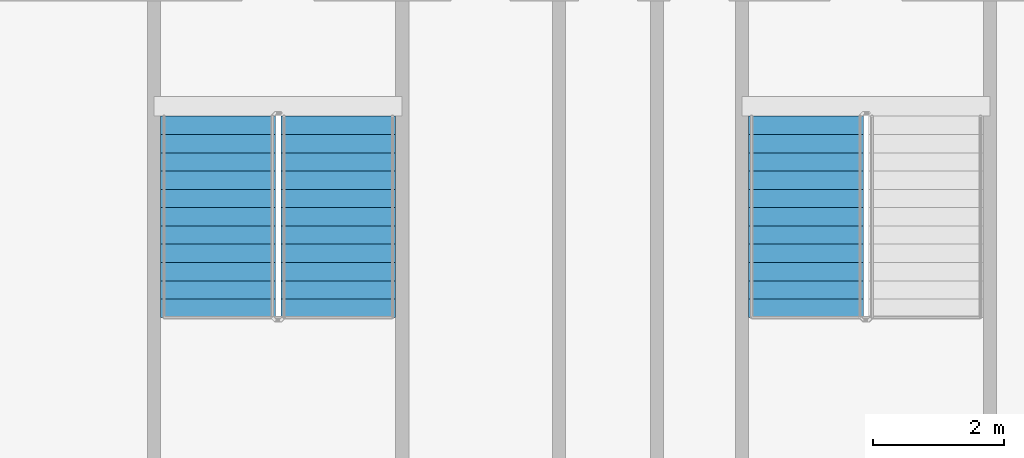
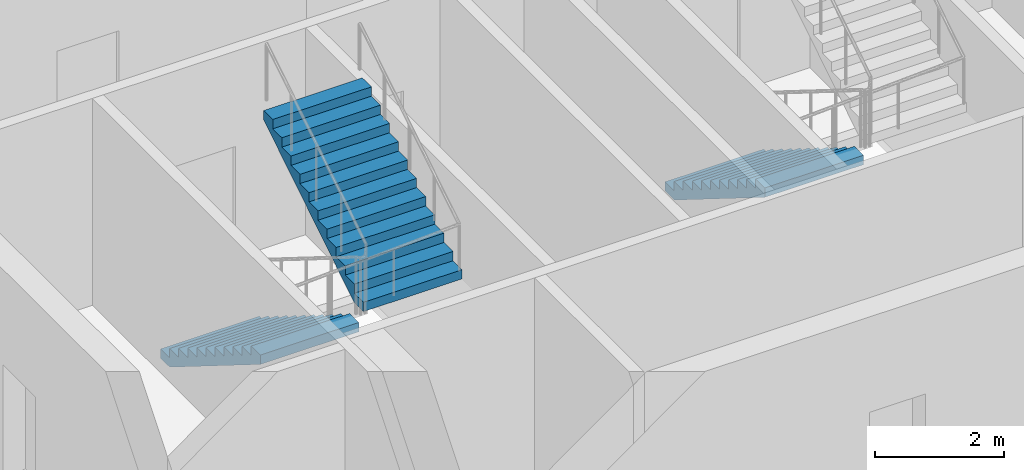
# One storey, part 22 of 28: 3 stair flights, 2 elements without a shape of their own.
"""IFC4 building model written with IfcOpenShell, lengths in metres."""

import ifcopenshell
import ifcopenshell.guid

model = None  # the IFC model being written
_history = None  # IfcOwnerHistory: only IFC2X3 demands one
_inside = {}  # id of a spatial element -> (the spatial element, [elements in it])
_under = {}  # id of a project, library or spatial element -> (it, [spatial elements below it])
_declared = {}  # id of a project -> (the project, [libraries it declares])
_typed = {}  # id of a type object -> (the type object, [elements of that type])
_made_of = {}  # id of a material, layer set ... -> (it, [elements and type objects made of it])


def new_model(schema):
    """Start an empty IFC model of exactly this schema.

    Asked for "IFC4X3", IfcOpenShell would pick the latest addendum, in which some entities
    have other attributes; the version numbers below select the first issue.
    IFC2X3 requires an IfcOwnerHistory on every rooted entity: one is made here for all.
    """
    global model, _history
    if schema == "IFC4X3":
        model = ifcopenshell.file(schema_version=(4, 3, 0, 0))
    else:
        model = ifcopenshell.file(schema=schema)
    _inside.clear()
    _under.clear()
    _declared.clear()
    _typed.clear()
    _made_of.clear()
    _history = None
    if model.schema == "IFC2X3":
        org = make("IfcOrganization", Name="unknown")
        user = make(
            "IfcPersonAndOrganization",
            ThePerson=make("IfcPerson", FamilyName="unknown"),
            TheOrganization=org,
        )
        app = make(
            "IfcApplication",
            ApplicationDeveloper=org,
            Version="unknown",
            ApplicationFullName="unknown",
            ApplicationIdentifier="unknown",
        )
        _history = make(
            "IfcOwnerHistory",
            OwningUser=user,
            OwningApplication=app,
            ChangeAction="ADDED",
            CreationDate=0,
        )
    return model


def make(cls, **values):
    """One entity of the class cls with the attributes given. An attribute that is None is left unset."""
    return model.create_entity(
        cls, **{name: value for name, value in values.items() if value is not None}
    )


def rooted(cls, **values):
    """An entity with a GlobalId (a new one), such as an element, a storey or a relation."""
    return make(cls, GlobalId=ifcopenshell.guid.new(), OwnerHistory=_history, **values)


def si_unit(unit_type, name, prefix=None):
    """IfcSIUnit, for example si_unit("LENGTHUNIT", "METRE", prefix="MILLI")."""
    return make("IfcSIUnit", UnitType=unit_type, Prefix=prefix, Name=name)


def assignment(units):
    """IfcUnitAssignment: the units of a project."""
    return None if units is None else make("IfcUnitAssignment", Units=units)


def point(xyz):
    """IfcCartesianPoint."""
    return None if xyz is None else make("IfcCartesianPoint", Coordinates=xyz)


def direction(xyz):
    """IfcDirection."""
    return None if xyz is None else make("IfcDirection", DirectionRatios=xyz)


def frame(location, z_axis=None, x_axis=None):
    """IfcAxis2Placement3D, a coordinate frame: its origin and axes. An axis left out is left unset."""
    return make(
        "IfcAxis2Placement3D",
        Location=point(location),
        Axis=direction(z_axis),
        RefDirection=direction(x_axis),
    )


def origin():
    """The frame at (0, 0, 0) with its axes left unset."""
    return frame((0.0, 0.0, 0.0))


def place(relative_to, where):
    """IfcLocalPlacement: puts the frame where relative to a parent placement (None: the world)."""
    return make(
        "IfcLocalPlacement", PlacementRelTo=relative_to, RelativePlacement=where
    )


def context(
    kind, dimensions, precision=None, world=None, true_north=None, identifier=None
):
    """IfcGeometricRepresentationContext, for example the 3D "Model" context."""
    return make(
        "IfcGeometricRepresentationContext",
        ContextIdentifier=identifier,
        ContextType=kind,
        CoordinateSpaceDimension=dimensions,
        Precision=precision,
        WorldCoordinateSystem=world,
        TrueNorth=true_north,
    )


def subcontext(parent, identifier, kind, view, scale=None):
    """IfcGeometricRepresentationSubContext, for example "Body" below "Model"."""
    return make(
        "IfcGeometricRepresentationSubContext",
        ContextIdentifier=identifier,
        ContextType=kind,
        ParentContext=parent,
        TargetScale=scale,
        TargetView=view,
    )


def project(units=None, contexts=None):
    """IfcProject with its units and contexts."""
    return rooted(
        "IfcProject",
        Name="project",
        RepresentationContexts=contexts,
        UnitsInContext=assignment(units),
    )


def spatial(cls, under=None, at=None, **own):
    """A site, building, storey or space (cls), placed at a placement, below another one or the project."""
    s = rooted(cls, ObjectPlacement=at, **own)
    if under is not None:
        _under.setdefault(under.id(), (under, []))[1].append(s)
    return s


def faces_of(points, faces, orient=None, outer=None):
    """IfcFace entities. A face is a list of loops; a loop is a list of indices into points, from 0.

    orient and outer hold one flag for each loop. By default every Orientation is true, the
    first loop of a face is its IfcFaceOuterBound and the others are IfcFaceBound.
    """
    made = []
    for i, loops in enumerate(faces):
        bounds = []
        for j, loop in enumerate(loops):
            is_outer = j == 0 if outer is None else outer[i][j]
            bounds.append(
                make(
                    "IfcFaceOuterBound" if is_outer else "IfcFaceBound",
                    Bound=make("IfcPolyLoop", Polygon=[points[k] for k in loop]),
                    Orientation=True if orient is None else orient[i][j],
                )
            )
        made.append(make("IfcFace", Bounds=bounds))
    return made


def faceted_brep(points, faces, orient=None, outer=None, voids=None):
    """IfcFacetedBrep: a solid bounded by flat faces; with voids (closed shells), ...WithVoids."""
    shared = [point(p) for p in points]
    hull = make("IfcClosedShell", CfsFaces=faces_of(shared, faces, orient, outer))
    if voids is None:
        return make("IfcFacetedBrep", Outer=hull)
    return make(
        "IfcFacetedBrepWithVoids",
        Outer=hull,
        Voids=[
            make(cls, CfsFaces=faces_of(shared, fs, o, b)) for cls, fs, o, b in voids
        ],
    )


def shape(context_of_items, identifier, shape_type, items):
    """IfcShapeRepresentation: the items that make up one representation, for example the "Body"."""
    return make(
        "IfcShapeRepresentation",
        ContextOfItems=context_of_items,
        RepresentationIdentifier=identifier,
        RepresentationType=shape_type,
        Items=items,
    )


def material(Name=None, Category=None):
    """IfcMaterial."""
    return make("IfcMaterial", Name=Name, Category=Category)


def made_of(thing, what):
    """Note that an element or type object is made of a material, layer set ...; save() writes the relation."""
    if what is not None:
        _made_of.setdefault(what.id(), (what, []))[1].append(thing)
    return thing


def type_object(cls, material=None, **own):
    """A type object (cls), such as IfcWallType, which elements share."""
    return made_of(rooted(cls, **own), material)


def element(
    cls,
    number,
    at=None,
    inside=None,
    cuts=None,
    type_object=None,
    material=None,
    context=None,
    identifier="Body",
    shape_type=None,
    held_by="IfcProductDefinitionShape",
    body=None,
    shapes=None,
    **own,
):
    """One element of the class cls, such as IfcWall. Its Tag is "e" and its number.

    at: its placement. inside: the storey or other place that contains it. cuts: it is an
    opening in that element (IfcRelVoidsElement). A single representation is given by context,
    identifier, shape_type and body (its items); several are given by shapes. held_by: the class
    of the entity that holds the representations. save() writes the other relations.
    """
    e = rooted(cls, Tag="e%d" % number, ObjectPlacement=at, **own)
    if body is not None:
        shapes = [shape(context, identifier, shape_type, body)]
    if shapes is not None:
        e.Representation = make(held_by, Representations=shapes)
    if inside is not None:
        _inside.setdefault(inside.id(), (inside, []))[1].append(e)
    if cuts is not None:
        rooted(
            "IfcRelVoidsElement", RelatingBuildingElement=cuts, RelatedOpeningElement=e
        )
    if type_object is not None:
        _typed.setdefault(type_object.id(), (type_object, []))[1].append(e)
    return made_of(e, material)


def aggregate(whole, parts):
    """IfcRelAggregates: a whole, such as a stair, and the parts it consists of."""
    return rooted("IfcRelAggregates", RelatingObject=whole, RelatedObjects=parts)


def save(model, path):
    """Write the relations noted so far, then the file.

    IfcRelAggregates (storeys below a building ...), IfcRelContainedInSpatialStructure (elements
    in a storey), IfcRelDefinesByType, IfcRelAssociatesMaterial and IfcRelDeclares: one each for
    every whole, place, type object, material and project.
    """
    for whole, parts in _under.values():
        aggregate(whole, parts)
    for where, things in _inside.values():
        rooted(
            "IfcRelContainedInSpatialStructure",
            RelatedElements=things,
            RelatingStructure=where,
        )
    for kind, things in _typed.values():
        rooted("IfcRelDefinesByType", RelatedObjects=things, RelatingType=kind)
    for what, things in _made_of.values():
        rooted("IfcRelAssociatesMaterial", RelatedObjects=things, RelatingMaterial=what)
    for by, libraries in _declared.values():
        rooted("IfcRelDeclares", RelatingContext=by, RelatedDefinitions=libraries)
    model.write(path)


model = new_model("IFC4")

# Units and contexts
model_context = context("Model", 3, precision=1e-05, world=origin(), true_north=direction((0.0, 1.0)))
body_context = subcontext(model_context, "Body", "Model", "MODEL_VIEW")
ifc_project = project(units=[si_unit("LENGTHUNIT", "METRE"), si_unit("AREAUNIT", "SQUARE_METRE"), si_unit("VOLUMEUNIT", "CUBIC_METRE"), si_unit("PLANEANGLEUNIT", "RADIAN"), si_unit("MASSUNIT", "GRAM", prefix="KILO")], contexts=[model_context])

# Site, building, storey
site_placement = place(None, origin())
site = spatial("IfcSite", under=ifc_project, at=site_placement, CompositionType="ELEMENT")
building_placement = place(site_placement, origin())
building = spatial("IfcBuilding", under=site, at=building_placement, Name="Tarsis Ring Headquarters", CompositionType="ELEMENT")
storey_placement = place(building_placement, frame((0.0, 0.0, 394.39990234375)))
storey = spatial("IfcBuildingStorey", under=building, at=storey_placement, Name="L93", CompositionType="ELEMENT", Elevation=394.39990234375)

# Stair, stair flights
ifc_material_1 = material(Name="Core stair 1760")
stair_type = type_object("IfcStairType", Name="Core stair 1760", PredefinedType="HALF_TURN_STAIR", material=ifc_material_1)
stair_1_placement = place(storey_placement, origin())
stair_1 = element("IfcStair", 1, at=stair_1_placement, inside=storey, type_object=stair_type, Name="L93 Exit stair C", PredefinedType="HALF_TURN_STAIR")
ifc_material_2 = material(Name="Concrete C40/50", Category="concrete")
stair_flight_type = type_object("IfcStairFlightType", Name="Core stair flight 1760", PredefinedType="STRAIGHT", material=ifc_material_2)
stair_flight_1_placement = place(storey_placement, frame((-5.419921875, -3.659912109375, 0.0), z_axis=(0.0, 0.0, 1.0), x_axis=(0.0, -1.0, 0.0)))
stair_flight_1 = element("IfcStairFlight", 2, at=stair_flight_1_placement, type_object=stair_flight_type, Name="Stair ST3 flight 1", NumberOfRisers=12, NumberOfTreads=11, PredefinedType="STRAIGHT", RiserHeight=0.175, TreadLength=0.28, context=body_context, shape_type="Brep", body=[
    faceted_brep([(0.0, 0.8798828125, 0.0), (0.0, 0.8798828125, 0.175048828125), (0.280029296875, 0.8798828125, 0.175048828125), (0.280029296875, 0.8798828125, 0.35009765625), (0.56005859375, 0.8798828125, 0.35009765625), (0.56005859375, 0.8798828125, 0.52490234375), (0.840087890625, 0.8798828125, 0.52490234375), (0.840087890625, 0.8798828125, 0.699951171875), (1.1201171875, 0.8798828125, 0.699951171875), (1.1201171875, 0.8798828125, 0.875), (1.39990234375, 0.8798828125, 0.875), (1.39990234375, 0.8798828125, 1.050048828125), (1.679931640625, 0.8798828125, 1.050048828125), (1.679931640625, 0.8798828125, 1.22509765625), (1.9599609375, 0.8798828125, 1.22509765625), (1.9599609375, 0.8798828125, 1.39990234375), (2.239990234375, 0.8798828125, 1.39990234375), (2.239990234375, 0.8798828125, 1.574951171875), (2.52001953125, 0.8798828125, 1.574951171875), (2.52001953125, 0.8798828125, 1.75), (2.800048828125, 0.8798828125, 1.75), (2.800048828125, 0.8798828125, 1.925048828125), (3.080078125, 0.8798828125, 1.925048828125), (3.080078125, 0.8798828125, 1.748291015625), (0.28271484375, 0.8798828125, 0.0), (0.28271484375, -0.8798828125, 0.0), (3.080078125, -0.8798828125, 1.748291015625), (3.080078125, -0.8798828125, 1.925048828125), (2.800048828125, -0.8798828125, 1.925048828125), (2.800048828125, -0.8798828125, 1.75), (2.52001953125, -0.8798828125, 1.75), (2.52001953125, -0.8798828125, 1.574951171875), (2.239990234375, -0.8798828125, 1.574951171875), (2.239990234375, -0.8798828125, 1.39990234375), (1.9599609375, -0.8798828125, 1.39990234375), (1.9599609375, -0.8798828125, 1.22509765625), (1.679931640625, -0.8798828125, 1.22509765625), (1.679931640625, -0.8798828125, 1.050048828125), (1.39990234375, -0.8798828125, 1.050048828125), (1.39990234375, -0.8798828125, 0.875), (1.1201171875, -0.8798828125, 0.875), (1.1201171875, -0.8798828125, 0.699951171875), (0.840087890625, -0.8798828125, 0.699951171875), (0.840087890625, -0.8798828125, 0.52490234375), (0.56005859375, -0.8798828125, 0.52490234375), (0.56005859375, -0.8798828125, 0.35009765625), (0.280029296875, -0.8798828125, 0.35009765625), (0.280029296875, -0.8798828125, 0.175048828125), (0.0, -0.8798828125, 0.175048828125), (0.0, -0.8798828125, 0.0), (0.0, -0.43994140625, 0.175048828125), (0.0, -0.43994140625, 0.0), (0.0, 0.0, 0.175048828125), (0.0, 0.0, 0.0), (0.0, 0.43994140625, 0.175048828125), (0.0, 0.43994140625, 0.0), (0.280029296875, -0.43994140625, 0.175048828125), (0.280029296875, 0.0, 0.175048828125), (0.280029296875, 0.43994140625, 0.175048828125), (0.280029296875, -0.43994140625, 0.35009765625), (0.280029296875, 0.0, 0.35009765625), (0.280029296875, 0.43994140625, 0.35009765625), (0.56005859375, -0.43994140625, 0.35009765625), (0.56005859375, 0.0, 0.35009765625), (0.56005859375, 0.43994140625, 0.35009765625), (0.56005859375, -0.43994140625, 0.52490234375), (0.56005859375, 0.0, 0.52490234375), (0.56005859375, 0.43994140625, 0.52490234375), (0.840087890625, -0.43994140625, 0.52490234375), (0.840087890625, 0.0, 0.52490234375), (0.840087890625, 0.43994140625, 0.52490234375), (0.840087890625, -0.43994140625, 0.699951171875), (0.840087890625, 0.0, 0.699951171875), (0.840087890625, 0.43994140625, 0.699951171875), (1.1201171875, -0.43994140625, 0.699951171875), (1.1201171875, 0.0, 0.699951171875), (1.1201171875, 0.43994140625, 0.699951171875), (1.1201171875, -0.43994140625, 0.875), (1.1201171875, 0.0, 0.875), (1.1201171875, 0.43994140625, 0.875), (1.39990234375, -0.43994140625, 0.875), (1.39990234375, 0.0, 0.875), (1.39990234375, 0.43994140625, 0.875), (1.39990234375, -0.43994140625, 1.050048828125), (1.39990234375, 0.0, 1.050048828125), (1.39990234375, 0.43994140625, 1.050048828125), (1.679931640625, -0.43994140625, 1.050048828125), (1.679931640625, 0.0, 1.050048828125), (1.679931640625, 0.43994140625, 1.050048828125), (1.679931640625, -0.43994140625, 1.22509765625), (1.679931640625, 0.0, 1.22509765625), (1.679931640625, 0.43994140625, 1.22509765625), (1.9599609375, -0.43994140625, 1.22509765625), (1.9599609375, 0.0, 1.22509765625), (1.9599609375, 0.43994140625, 1.22509765625), (1.9599609375, -0.43994140625, 1.39990234375), (1.9599609375, 0.0, 1.39990234375), (1.9599609375, 0.43994140625, 1.39990234375), (2.239990234375, -0.43994140625, 1.39990234375), (2.239990234375, 0.0, 1.39990234375), (2.239990234375, 0.43994140625, 1.39990234375), (2.239990234375, -0.43994140625, 1.574951171875), (2.239990234375, 0.0, 1.574951171875), (2.239990234375, 0.43994140625, 1.574951171875), (2.52001953125, -0.43994140625, 1.574951171875), (2.52001953125, 0.0, 1.574951171875), (2.52001953125, 0.43994140625, 1.574951171875), (2.52001953125, -0.43994140625, 1.75), (2.52001953125, 0.0, 1.75), (2.52001953125, 0.43994140625, 1.75), (2.800048828125, -0.43994140625, 1.75), (2.800048828125, 0.0, 1.75), (2.800048828125, 0.43994140625, 1.75), (2.800048828125, -0.43994140625, 1.925048828125), (2.800048828125, 0.0, 1.925048828125), (2.800048828125, 0.43994140625, 1.925048828125), (3.080078125, -0.43994140625, 1.925048828125), (3.080078125, 0.0, 1.925048828125), (3.080078125, 0.43994140625, 1.925048828125), (3.080078125, -0.43994140625, 1.748291015625), (3.080078125, 0.0, 1.748291015625), (3.080078125, 0.43994140625, 1.748291015625), (0.28271484375, -0.43994140625, 0.0), (0.28271484375, 0.0, 0.0), (0.28271484375, 0.43994140625, 0.0)], [[[0, 1, 2, 3, 4, 5, 6, 7, 8, 9, 10, 11, 12, 13, 14, 15, 16, 17, 18, 19, 20, 21, 22, 23, 24]], [[25, 26, 27, 28, 29, 30, 31, 32, 33, 34, 35, 36, 37, 38, 39, 40, 41, 42, 43, 44, 45, 46, 47, 48, 49]], [[49, 48, 50, 51]], [[51, 50, 52, 53]], [[53, 52, 54, 55]], [[55, 54, 1, 0]], [[48, 47, 56, 50]], [[50, 56, 57, 52]], [[52, 57, 58, 54]], [[54, 58, 2, 1]], [[47, 46, 59, 56]], [[56, 59, 60, 57]], [[57, 60, 61, 58]], [[58, 61, 3, 2]], [[46, 45, 62, 59]], [[59, 62, 63, 60]], [[60, 63, 64, 61]], [[61, 64, 4, 3]], [[45, 44, 65, 62]], [[62, 65, 66, 63]], [[63, 66, 67, 64]], [[64, 67, 5, 4]], [[44, 43, 68, 65]], [[65, 68, 69, 66]], [[66, 69, 70, 67]], [[67, 70, 6, 5]], [[43, 42, 71, 68]], [[68, 71, 72, 69]], [[69, 72, 73, 70]], [[70, 73, 7, 6]], [[42, 41, 74, 71]], [[71, 74, 75, 72]], [[72, 75, 76, 73]], [[73, 76, 8, 7]], [[41, 40, 77, 74]], [[74, 77, 78, 75]], [[75, 78, 79, 76]], [[76, 79, 9, 8]], [[40, 39, 80, 77]], [[77, 80, 81, 78]], [[78, 81, 82, 79]], [[79, 82, 10, 9]], [[39, 38, 83, 80]], [[80, 83, 84, 81]], [[81, 84, 85, 82]], [[82, 85, 11, 10]], [[38, 37, 86, 83]], [[83, 86, 87, 84]], [[84, 87, 88, 85]], [[85, 88, 12, 11]], [[37, 36, 89, 86]], [[86, 89, 90, 87]], [[87, 90, 91, 88]], [[88, 91, 13, 12]], [[36, 35, 92, 89]], [[89, 92, 93, 90]], [[90, 93, 94, 91]], [[91, 94, 14, 13]], [[35, 34, 95, 92]], [[92, 95, 96, 93]], [[93, 96, 97, 94]], [[94, 97, 15, 14]], [[34, 33, 98, 95]], [[95, 98, 99, 96]], [[96, 99, 100, 97]], [[97, 100, 16, 15]], [[33, 32, 101, 98]], [[98, 101, 102, 99]], [[99, 102, 103, 100]], [[100, 103, 17, 16]], [[32, 31, 104, 101]], [[101, 104, 105, 102]], [[102, 105, 106, 103]], [[103, 106, 18, 17]], [[31, 30, 107, 104]], [[104, 107, 108, 105]], [[105, 108, 109, 106]], [[106, 109, 19, 18]], [[30, 29, 110, 107]], [[107, 110, 111, 108]], [[108, 111, 112, 109]], [[109, 112, 20, 19]], [[29, 28, 113, 110]], [[110, 113, 114, 111]], [[111, 114, 115, 112]], [[112, 115, 21, 20]], [[28, 27, 116, 113]], [[113, 116, 117, 114]], [[114, 117, 118, 115]], [[115, 118, 22, 21]], [[27, 26, 119, 116]], [[116, 119, 120, 117]], [[117, 120, 121, 118]], [[118, 121, 23, 22]], [[26, 25, 122, 119]], [[119, 122, 123, 120]], [[120, 123, 124, 121]], [[121, 124, 24, 23]], [[25, 49, 51, 122]], [[122, 51, 53, 123]], [[123, 53, 55, 124]], [[124, 55, 0, 24]]]),
])
stair_flight_2_placement = place(storey_placement, frame((-3.580078125, -6.739990234375, 2.10009765625), z_axis=(0.0, 0.0, 1.0), x_axis=(0.0, 1.0, 0.0)))
stair_flight_2 = element("IfcStairFlight", 3, at=stair_flight_2_placement, type_object=stair_flight_type, Name="Stair ST3 flight 2", NumberOfRisers=12, NumberOfTreads=11, PredefinedType="STRAIGHT", RiserHeight=0.175, TreadLength=0.28, context=body_context, shape_type="Brep", body=[
    faceted_brep([(0.0, 0.8798828125, 0.0), (0.0, 0.8798828125, 0.175048828125), (0.280029296875, 0.8798828125, 0.175048828125), (0.280029296875, 0.8798828125, 0.35009765625), (0.56005859375, 0.8798828125, 0.35009765625), (0.56005859375, 0.8798828125, 0.52490234375), (0.840087890625, 0.8798828125, 0.52490234375), (0.840087890625, 0.8798828125, 0.699951171875), (1.1201171875, 0.8798828125, 0.699951171875), (1.1201171875, 0.8798828125, 0.875), (1.39990234375, 0.8798828125, 0.875), (1.39990234375, 0.8798828125, 1.050048828125), (1.679931640625, 0.8798828125, 1.050048828125), (1.679931640625, 0.8798828125, 1.22509765625), (1.9599609375, 0.8798828125, 1.22509765625), (1.9599609375, 0.8798828125, 1.39990234375), (2.239990234375, 0.8798828125, 1.39990234375), (2.239990234375, 0.8798828125, 1.574951171875), (2.52001953125, 0.8798828125, 1.574951171875), (2.52001953125, 0.8798828125, 1.75), (2.800048828125, 0.8798828125, 1.75), (2.800048828125, 0.8798828125, 1.925048828125), (3.080078125, 0.8798828125, 1.925048828125), (3.080078125, 0.8798828125, 1.748291015625), (0.28271484375, 0.8798828125, 0.0), (0.28271484375, -0.8798828125, 0.0), (3.080078125, -0.8798828125, 1.748291015625), (3.080078125, -0.8798828125, 1.925048828125), (2.800048828125, -0.8798828125, 1.925048828125), (2.800048828125, -0.8798828125, 1.75), (2.52001953125, -0.8798828125, 1.75), (2.52001953125, -0.8798828125, 1.574951171875), (2.239990234375, -0.8798828125, 1.574951171875), (2.239990234375, -0.8798828125, 1.39990234375), (1.9599609375, -0.8798828125, 1.39990234375), (1.9599609375, -0.8798828125, 1.22509765625), (1.679931640625, -0.8798828125, 1.22509765625), (1.679931640625, -0.8798828125, 1.050048828125), (1.39990234375, -0.8798828125, 1.050048828125), (1.39990234375, -0.8798828125, 0.875), (1.1201171875, -0.8798828125, 0.875), (1.1201171875, -0.8798828125, 0.699951171875), (0.840087890625, -0.8798828125, 0.699951171875), (0.840087890625, -0.8798828125, 0.52490234375), (0.56005859375, -0.8798828125, 0.52490234375), (0.56005859375, -0.8798828125, 0.35009765625), (0.280029296875, -0.8798828125, 0.35009765625), (0.280029296875, -0.8798828125, 0.175048828125), (0.0, -0.8798828125, 0.175048828125), (0.0, -0.8798828125, 0.0), (0.0, -0.43994140625, 0.175048828125), (0.0, -0.43994140625, 0.0), (0.0, 0.0, 0.175048828125), (0.0, 0.0, 0.0), (0.0, 0.43994140625, 0.175048828125), (0.0, 0.43994140625, 0.0), (0.280029296875, -0.43994140625, 0.175048828125), (0.280029296875, 0.0, 0.175048828125), (0.280029296875, 0.43994140625, 0.175048828125), (0.280029296875, -0.43994140625, 0.35009765625), (0.280029296875, 0.0, 0.35009765625), (0.280029296875, 0.43994140625, 0.35009765625), (0.56005859375, -0.43994140625, 0.35009765625), (0.56005859375, 0.0, 0.35009765625), (0.56005859375, 0.43994140625, 0.35009765625), (0.56005859375, -0.43994140625, 0.52490234375), (0.56005859375, 0.0, 0.52490234375), (0.56005859375, 0.43994140625, 0.52490234375), (0.840087890625, -0.43994140625, 0.52490234375), (0.840087890625, 0.0, 0.52490234375), (0.840087890625, 0.43994140625, 0.52490234375), (0.840087890625, -0.43994140625, 0.699951171875), (0.840087890625, 0.0, 0.699951171875), (0.840087890625, 0.43994140625, 0.699951171875), (1.1201171875, -0.43994140625, 0.699951171875), (1.1201171875, 0.0, 0.699951171875), (1.1201171875, 0.43994140625, 0.699951171875), (1.1201171875, -0.43994140625, 0.875), (1.1201171875, 0.0, 0.875), (1.1201171875, 0.43994140625, 0.875), (1.39990234375, -0.43994140625, 0.875), (1.39990234375, 0.0, 0.875), (1.39990234375, 0.43994140625, 0.875), (1.39990234375, -0.43994140625, 1.050048828125), (1.39990234375, 0.0, 1.050048828125), (1.39990234375, 0.43994140625, 1.050048828125), (1.679931640625, -0.43994140625, 1.050048828125), (1.679931640625, 0.0, 1.050048828125), (1.679931640625, 0.43994140625, 1.050048828125), (1.679931640625, -0.43994140625, 1.22509765625), (1.679931640625, 0.0, 1.22509765625), (1.679931640625, 0.43994140625, 1.22509765625), (1.9599609375, -0.43994140625, 1.22509765625), (1.9599609375, 0.0, 1.22509765625), (1.9599609375, 0.43994140625, 1.22509765625), (1.9599609375, -0.43994140625, 1.39990234375), (1.9599609375, 0.0, 1.39990234375), (1.9599609375, 0.43994140625, 1.39990234375), (2.239990234375, -0.43994140625, 1.39990234375), (2.239990234375, 0.0, 1.39990234375), (2.239990234375, 0.43994140625, 1.39990234375), (2.239990234375, -0.43994140625, 1.574951171875), (2.239990234375, 0.0, 1.574951171875), (2.239990234375, 0.43994140625, 1.574951171875), (2.52001953125, -0.43994140625, 1.574951171875), (2.52001953125, 0.0, 1.574951171875), (2.52001953125, 0.43994140625, 1.574951171875), (2.52001953125, -0.43994140625, 1.75), (2.52001953125, 0.0, 1.75), (2.52001953125, 0.43994140625, 1.75), (2.800048828125, -0.43994140625, 1.75), (2.800048828125, 0.0, 1.75), (2.800048828125, 0.43994140625, 1.75), (2.800048828125, -0.43994140625, 1.925048828125), (2.800048828125, 0.0, 1.925048828125), (2.800048828125, 0.43994140625, 1.925048828125), (3.080078125, -0.43994140625, 1.925048828125), (3.080078125, 0.0, 1.925048828125), (3.080078125, 0.43994140625, 1.925048828125), (3.080078125, -0.43994140625, 1.748291015625), (3.080078125, 0.0, 1.748291015625), (3.080078125, 0.43994140625, 1.748291015625), (0.28271484375, -0.43994140625, 0.0), (0.28271484375, 0.0, 0.0), (0.28271484375, 0.43994140625, 0.0)], [[[0, 1, 2, 3, 4, 5, 6, 7, 8, 9, 10, 11, 12, 13, 14, 15, 16, 17, 18, 19, 20, 21, 22, 23, 24]], [[25, 26, 27, 28, 29, 30, 31, 32, 33, 34, 35, 36, 37, 38, 39, 40, 41, 42, 43, 44, 45, 46, 47, 48, 49]], [[49, 48, 50, 51]], [[51, 50, 52, 53]], [[53, 52, 54, 55]], [[55, 54, 1, 0]], [[48, 47, 56, 50]], [[50, 56, 57, 52]], [[52, 57, 58, 54]], [[54, 58, 2, 1]], [[47, 46, 59, 56]], [[56, 59, 60, 57]], [[57, 60, 61, 58]], [[58, 61, 3, 2]], [[46, 45, 62, 59]], [[59, 62, 63, 60]], [[60, 63, 64, 61]], [[61, 64, 4, 3]], [[45, 44, 65, 62]], [[62, 65, 66, 63]], [[63, 66, 67, 64]], [[64, 67, 5, 4]], [[44, 43, 68, 65]], [[65, 68, 69, 66]], [[66, 69, 70, 67]], [[67, 70, 6, 5]], [[43, 42, 71, 68]], [[68, 71, 72, 69]], [[69, 72, 73, 70]], [[70, 73, 7, 6]], [[42, 41, 74, 71]], [[71, 74, 75, 72]], [[72, 75, 76, 73]], [[73, 76, 8, 7]], [[41, 40, 77, 74]], [[74, 77, 78, 75]], [[75, 78, 79, 76]], [[76, 79, 9, 8]], [[40, 39, 80, 77]], [[77, 80, 81, 78]], [[78, 81, 82, 79]], [[79, 82, 10, 9]], [[39, 38, 83, 80]], [[80, 83, 84, 81]], [[81, 84, 85, 82]], [[82, 85, 11, 10]], [[38, 37, 86, 83]], [[83, 86, 87, 84]], [[84, 87, 88, 85]], [[85, 88, 12, 11]], [[37, 36, 89, 86]], [[86, 89, 90, 87]], [[87, 90, 91, 88]], [[88, 91, 13, 12]], [[36, 35, 92, 89]], [[89, 92, 93, 90]], [[90, 93, 94, 91]], [[91, 94, 14, 13]], [[35, 34, 95, 92]], [[92, 95, 96, 93]], [[93, 96, 97, 94]], [[94, 97, 15, 14]], [[34, 33, 98, 95]], [[95, 98, 99, 96]], [[96, 99, 100, 97]], [[97, 100, 16, 15]], [[33, 32, 101, 98]], [[98, 101, 102, 99]], [[99, 102, 103, 100]], [[100, 103, 17, 16]], [[32, 31, 104, 101]], [[101, 104, 105, 102]], [[102, 105, 106, 103]], [[103, 106, 18, 17]], [[31, 30, 107, 104]], [[104, 107, 108, 105]], [[105, 108, 109, 106]], [[106, 109, 19, 18]], [[30, 29, 110, 107]], [[107, 110, 111, 108]], [[108, 111, 112, 109]], [[109, 112, 20, 19]], [[29, 28, 113, 110]], [[110, 113, 114, 111]], [[111, 114, 115, 112]], [[112, 115, 21, 20]], [[28, 27, 116, 113]], [[113, 116, 117, 114]], [[114, 117, 118, 115]], [[115, 118, 22, 21]], [[27, 26, 119, 116]], [[116, 119, 120, 117]], [[117, 120, 121, 118]], [[118, 121, 23, 22]], [[26, 25, 122, 119]], [[119, 122, 123, 120]], [[120, 123, 124, 121]], [[121, 124, 24, 23]], [[25, 49, 51, 122]], [[122, 51, 53, 123]], [[123, 53, 55, 124]], [[124, 55, 0, 24]]]),
])
aggregate(stair_1, [stair_flight_1, stair_flight_2])

# Stair, stair flight
stair_2_placement = place(storey_placement, origin())
stair_2 = element("IfcStair", 4, at=stair_2_placement, inside=storey, type_object=stair_type, Name="L93 Exit stair D", PredefinedType="HALF_TURN_STAIR")
stair_flight_3_placement = place(storey_placement, frame((3.580078125, -3.659912109375, 0.0), z_axis=(0.0, 0.0, 1.0), x_axis=(0.0, -1.0, 0.0)))
stair_flight_3 = element("IfcStairFlight", 5, at=stair_flight_3_placement, type_object=stair_flight_type, Name="Stair ST4 flight 1", NumberOfRisers=12, NumberOfTreads=11, PredefinedType="STRAIGHT", RiserHeight=0.175, TreadLength=0.28, context=body_context, shape_type="Brep", body=[
    faceted_brep([(0.0, 0.8798828125, 0.0), (0.0, 0.8798828125, 0.175048828125), (0.280029296875, 0.8798828125, 0.175048828125), (0.280029296875, 0.8798828125, 0.35009765625), (0.56005859375, 0.8798828125, 0.35009765625), (0.56005859375, 0.8798828125, 0.52490234375), (0.840087890625, 0.8798828125, 0.52490234375), (0.840087890625, 0.8798828125, 0.699951171875), (1.1201171875, 0.8798828125, 0.699951171875), (1.1201171875, 0.8798828125, 0.875), (1.39990234375, 0.8798828125, 0.875), (1.39990234375, 0.8798828125, 1.050048828125), (1.679931640625, 0.8798828125, 1.050048828125), (1.679931640625, 0.8798828125, 1.22509765625), (1.9599609375, 0.8798828125, 1.22509765625), (1.9599609375, 0.8798828125, 1.39990234375), (2.239990234375, 0.8798828125, 1.39990234375), (2.239990234375, 0.8798828125, 1.574951171875), (2.52001953125, 0.8798828125, 1.574951171875), (2.52001953125, 0.8798828125, 1.75), (2.800048828125, 0.8798828125, 1.75), (2.800048828125, 0.8798828125, 1.925048828125), (3.080078125, 0.8798828125, 1.925048828125), (3.080078125, 0.8798828125, 1.748291015625), (0.28271484375, 0.8798828125, 0.0), (0.28271484375, -0.8798828125, 0.0), (3.080078125, -0.8798828125, 1.748291015625), (3.080078125, -0.8798828125, 1.925048828125), (2.800048828125, -0.8798828125, 1.925048828125), (2.800048828125, -0.8798828125, 1.75), (2.52001953125, -0.8798828125, 1.75), (2.52001953125, -0.8798828125, 1.574951171875), (2.239990234375, -0.8798828125, 1.574951171875), (2.239990234375, -0.8798828125, 1.39990234375), (1.9599609375, -0.8798828125, 1.39990234375), (1.9599609375, -0.8798828125, 1.22509765625), (1.679931640625, -0.8798828125, 1.22509765625), (1.679931640625, -0.8798828125, 1.050048828125), (1.39990234375, -0.8798828125, 1.050048828125), (1.39990234375, -0.8798828125, 0.875), (1.1201171875, -0.8798828125, 0.875), (1.1201171875, -0.8798828125, 0.699951171875), (0.840087890625, -0.8798828125, 0.699951171875), (0.840087890625, -0.8798828125, 0.52490234375), (0.56005859375, -0.8798828125, 0.52490234375), (0.56005859375, -0.8798828125, 0.35009765625), (0.280029296875, -0.8798828125, 0.35009765625), (0.280029296875, -0.8798828125, 0.175048828125), (0.0, -0.8798828125, 0.175048828125), (0.0, -0.8798828125, 0.0), (0.0, -0.43994140625, 0.175048828125), (0.0, -0.43994140625, 0.0), (0.0, 0.0, 0.175048828125), (0.0, 0.0, 0.0), (0.0, 0.43994140625, 0.175048828125), (0.0, 0.43994140625, 0.0), (0.280029296875, -0.43994140625, 0.175048828125), (0.280029296875, 0.0, 0.175048828125), (0.280029296875, 0.43994140625, 0.175048828125), (0.280029296875, -0.43994140625, 0.35009765625), (0.280029296875, 0.0, 0.35009765625), (0.280029296875, 0.43994140625, 0.35009765625), (0.56005859375, -0.43994140625, 0.35009765625), (0.56005859375, 0.0, 0.35009765625), (0.56005859375, 0.43994140625, 0.35009765625), (0.56005859375, -0.43994140625, 0.52490234375), (0.56005859375, 0.0, 0.52490234375), (0.56005859375, 0.43994140625, 0.52490234375), (0.840087890625, -0.43994140625, 0.52490234375), (0.840087890625, 0.0, 0.52490234375), (0.840087890625, 0.43994140625, 0.52490234375), (0.840087890625, -0.43994140625, 0.699951171875), (0.840087890625, 0.0, 0.699951171875), (0.840087890625, 0.43994140625, 0.699951171875), (1.1201171875, -0.43994140625, 0.699951171875), (1.1201171875, 0.0, 0.699951171875), (1.1201171875, 0.43994140625, 0.699951171875), (1.1201171875, -0.43994140625, 0.875), (1.1201171875, 0.0, 0.875), (1.1201171875, 0.43994140625, 0.875), (1.39990234375, -0.43994140625, 0.875), (1.39990234375, 0.0, 0.875), (1.39990234375, 0.43994140625, 0.875), (1.39990234375, -0.43994140625, 1.050048828125), (1.39990234375, 0.0, 1.050048828125), (1.39990234375, 0.43994140625, 1.050048828125), (1.679931640625, -0.43994140625, 1.050048828125), (1.679931640625, 0.0, 1.050048828125), (1.679931640625, 0.43994140625, 1.050048828125), (1.679931640625, -0.43994140625, 1.22509765625), (1.679931640625, 0.0, 1.22509765625), (1.679931640625, 0.43994140625, 1.22509765625), (1.9599609375, -0.43994140625, 1.22509765625), (1.9599609375, 0.0, 1.22509765625), (1.9599609375, 0.43994140625, 1.22509765625), (1.9599609375, -0.43994140625, 1.39990234375), (1.9599609375, 0.0, 1.39990234375), (1.9599609375, 0.43994140625, 1.39990234375), (2.239990234375, -0.43994140625, 1.39990234375), (2.239990234375, 0.0, 1.39990234375), (2.239990234375, 0.43994140625, 1.39990234375), (2.239990234375, -0.43994140625, 1.574951171875), (2.239990234375, 0.0, 1.574951171875), (2.239990234375, 0.43994140625, 1.574951171875), (2.52001953125, -0.43994140625, 1.574951171875), (2.52001953125, 0.0, 1.574951171875), (2.52001953125, 0.43994140625, 1.574951171875), (2.52001953125, -0.43994140625, 1.75), (2.52001953125, 0.0, 1.75), (2.52001953125, 0.43994140625, 1.75), (2.800048828125, -0.43994140625, 1.75), (2.800048828125, 0.0, 1.75), (2.800048828125, 0.43994140625, 1.75), (2.800048828125, -0.43994140625, 1.925048828125), (2.800048828125, 0.0, 1.925048828125), (2.800048828125, 0.43994140625, 1.925048828125), (3.080078125, -0.43994140625, 1.925048828125), (3.080078125, 0.0, 1.925048828125), (3.080078125, 0.43994140625, 1.925048828125), (3.080078125, -0.43994140625, 1.748291015625), (3.080078125, 0.0, 1.748291015625), (3.080078125, 0.43994140625, 1.748291015625), (0.28271484375, -0.43994140625, 0.0), (0.28271484375, 0.0, 0.0), (0.28271484375, 0.43994140625, 0.0)], [[[0, 1, 2, 3, 4, 5, 6, 7, 8, 9, 10, 11, 12, 13, 14, 15, 16, 17, 18, 19, 20, 21, 22, 23, 24]], [[25, 26, 27, 28, 29, 30, 31, 32, 33, 34, 35, 36, 37, 38, 39, 40, 41, 42, 43, 44, 45, 46, 47, 48, 49]], [[49, 48, 50, 51]], [[51, 50, 52, 53]], [[53, 52, 54, 55]], [[55, 54, 1, 0]], [[48, 47, 56, 50]], [[50, 56, 57, 52]], [[52, 57, 58, 54]], [[54, 58, 2, 1]], [[47, 46, 59, 56]], [[56, 59, 60, 57]], [[57, 60, 61, 58]], [[58, 61, 3, 2]], [[46, 45, 62, 59]], [[59, 62, 63, 60]], [[60, 63, 64, 61]], [[61, 64, 4, 3]], [[45, 44, 65, 62]], [[62, 65, 66, 63]], [[63, 66, 67, 64]], [[64, 67, 5, 4]], [[44, 43, 68, 65]], [[65, 68, 69, 66]], [[66, 69, 70, 67]], [[67, 70, 6, 5]], [[43, 42, 71, 68]], [[68, 71, 72, 69]], [[69, 72, 73, 70]], [[70, 73, 7, 6]], [[42, 41, 74, 71]], [[71, 74, 75, 72]], [[72, 75, 76, 73]], [[73, 76, 8, 7]], [[41, 40, 77, 74]], [[74, 77, 78, 75]], [[75, 78, 79, 76]], [[76, 79, 9, 8]], [[40, 39, 80, 77]], [[77, 80, 81, 78]], [[78, 81, 82, 79]], [[79, 82, 10, 9]], [[39, 38, 83, 80]], [[80, 83, 84, 81]], [[81, 84, 85, 82]], [[82, 85, 11, 10]], [[38, 37, 86, 83]], [[83, 86, 87, 84]], [[84, 87, 88, 85]], [[85, 88, 12, 11]], [[37, 36, 89, 86]], [[86, 89, 90, 87]], [[87, 90, 91, 88]], [[88, 91, 13, 12]], [[36, 35, 92, 89]], [[89, 92, 93, 90]], [[90, 93, 94, 91]], [[91, 94, 14, 13]], [[35, 34, 95, 92]], [[92, 95, 96, 93]], [[93, 96, 97, 94]], [[94, 97, 15, 14]], [[34, 33, 98, 95]], [[95, 98, 99, 96]], [[96, 99, 100, 97]], [[97, 100, 16, 15]], [[33, 32, 101, 98]], [[98, 101, 102, 99]], [[99, 102, 103, 100]], [[100, 103, 17, 16]], [[32, 31, 104, 101]], [[101, 104, 105, 102]], [[102, 105, 106, 103]], [[103, 106, 18, 17]], [[31, 30, 107, 104]], [[104, 107, 108, 105]], [[105, 108, 109, 106]], [[106, 109, 19, 18]], [[30, 29, 110, 107]], [[107, 110, 111, 108]], [[108, 111, 112, 109]], [[109, 112, 20, 19]], [[29, 28, 113, 110]], [[110, 113, 114, 111]], [[111, 114, 115, 112]], [[112, 115, 21, 20]], [[28, 27, 116, 113]], [[113, 116, 117, 114]], [[114, 117, 118, 115]], [[115, 118, 22, 21]], [[27, 26, 119, 116]], [[116, 119, 120, 117]], [[117, 120, 121, 118]], [[118, 121, 23, 22]], [[26, 25, 122, 119]], [[119, 122, 123, 120]], [[120, 123, 124, 121]], [[121, 124, 24, 23]], [[25, 49, 51, 122]], [[122, 51, 53, 123]], [[123, 53, 55, 124]], [[124, 55, 0, 24]]]),
])
aggregate(stair_2, [stair_flight_3])

save(model, "model.ifc")
